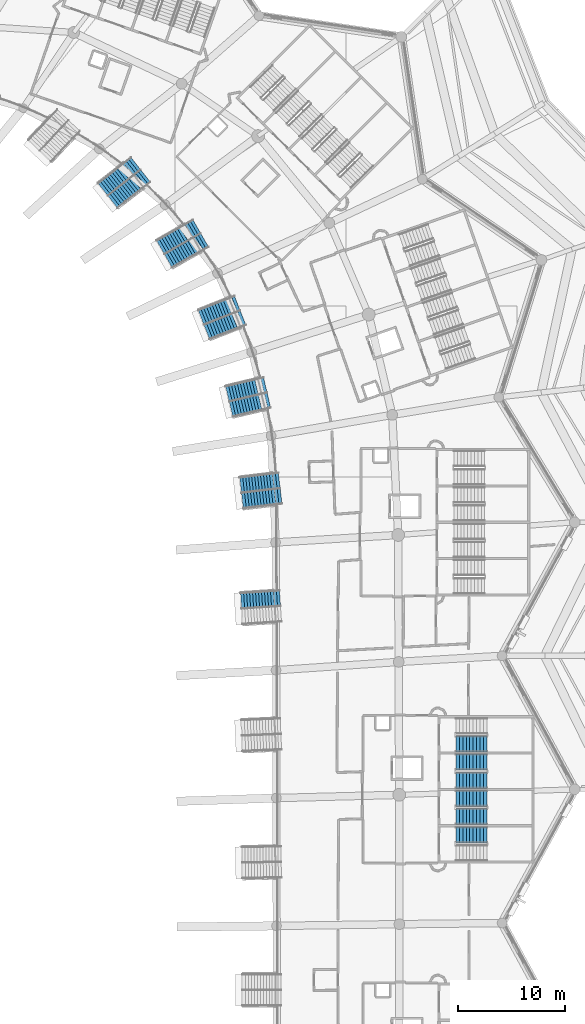
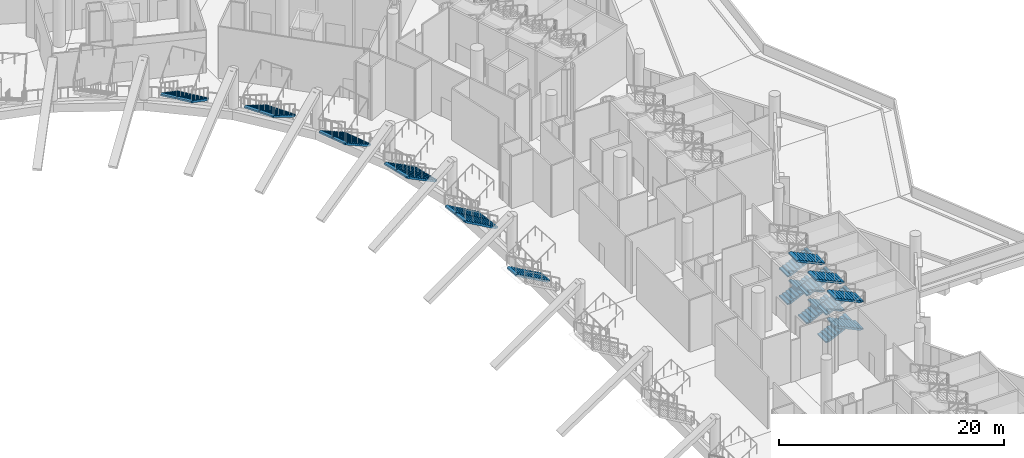
# One storey, part 98 of 173: 23 stair flights, 10 elements without a shape of their own.
"""IFC4 building model written with IfcOpenShell, lengths in metres."""

from ifc_helpers import new_model, si_unit, direction, frame, origin, place, context, subcontext, project, spatial, polyline, outline, extrude, material, type_object, element, aggregate, save


model = new_model("IFC4")

# Units and contexts
model_context = context("Model", 3, precision=1e-05, world=origin(), true_north=direction((0.0, 1.0)))
body_context = subcontext(model_context, "Body", "Model", "MODEL_VIEW")
ifc_project = project(units=[si_unit("LENGTHUNIT", "METRE"), si_unit("AREAUNIT", "SQUARE_METRE"), si_unit("VOLUMEUNIT", "CUBIC_METRE"), si_unit("PLANEANGLEUNIT", "RADIAN"), si_unit("MASSUNIT", "GRAM", prefix="KILO")], contexts=[model_context])

# Site, building, storey
site_placement = place(None, origin())
site = spatial("IfcSite", under=ifc_project, at=site_placement, CompositionType="ELEMENT")
building_placement = place(site_placement, origin())
building = spatial("IfcBuilding", under=site, at=building_placement, Name="Meseta Stadium", CompositionType="ELEMENT")
storey_placement = place(building_placement, frame((0.0, 0.0, 18.0)))
storey = spatial("IfcBuildingStorey", under=building, at=storey_placement, Name="L03", CompositionType="ELEMENT", Elevation=18.0)

# Stair, stair flights
ifc_material_1 = material(Name="Concrete C40/50", Category="concrete")
stair_type_1 = type_object("IfcStairType", Name="Exit stair 4 flights 150 mm risers", PredefinedType="HALF_TURN_STAIR", material=ifc_material_1)
stair_1_placement = place(storey_placement, origin())
stair_1 = element("IfcStair", 1, at=stair_1_placement, inside=storey, type_object=stair_type_1, Name="ST13 L03", PredefinedType="HALF_TURN_STAIR")
ifc_material_2 = material(Name="Concrete C40/50", Category="concrete")
stair_flight_type_1 = type_object("IfcStairFlightType", Name="Exit stair flight 150 mm risers, 4 per storey", PredefinedType="STRAIGHT", material=ifc_material_2)
stair_flight_1_placement = place(storey_placement, frame((93.179931640625, 14.5, 1.5), z_axis=(0.0, 0.0, 1.0), x_axis=(-1.0, 0.0, 0.0)))
stair_flight_1 = element("IfcStairFlight", 2, at=stair_flight_1_placement, type_object=stair_flight_type_1, Name="ST13 L03 flight 2", NumberOfRisers=10, NumberOfTreads=9, PredefinedType="STRAIGHT", RiserHeight=0.15, TreadLength=0.32, context=body_context, shape_type="SweptSolid", body=[
    extrude(outline(polyline([(0.0, 0.0), (0.0, 0.14990234375), (0.320068359375, 0.14990234375), (0.320068359375, 0.300048828125), (0.639892578125, 0.300048828125), (0.639892578125, 0.449951171875), (0.9599609375, 0.449951171875), (0.9599609375, 0.60009765625), (1.280029296875, 0.60009765625), (1.280029296875, 0.75), (1.60009765625, 0.75), (1.60009765625, 0.89990234375), (1.919921875, 0.89990234375), (1.919921875, 1.050048828125), (2.239990234375, 1.050048828125), (2.239990234375, 1.199951171875), (2.56005859375, 1.199951171875), (2.56005859375, 1.35009765625), (2.8798828125, 1.35009765625), (2.8798828125, 1.184326171875), (0.353271484375, 0.0), (0.0, 0.0)])), frame((0.0, 0.75, 0.0), z_axis=(0.0, -1.0, 0.0), x_axis=(1.0, 0.0, 0.0)), (0.0, 0.0, 1.0), 1.5),
])
stair_flight_2_placement = place(storey_placement, frame((93.179931640625, 14.5, 4.5), z_axis=(0.0, 0.0, 1.0), x_axis=(-1.0, 0.0, 0.0)))
stair_flight_2 = element("IfcStairFlight", 3, at=stair_flight_2_placement, type_object=stair_flight_type_1, Name="ST13 L03 flight 4", NumberOfRisers=10, NumberOfTreads=9, PredefinedType="STRAIGHT", RiserHeight=0.15, TreadLength=0.32, context=body_context, shape_type="SweptSolid", body=[
    extrude(outline(polyline([(0.0, 0.0), (0.0, 0.14990234375), (0.320068359375, 0.14990234375), (0.320068359375, 0.300048828125), (0.639892578125, 0.300048828125), (0.639892578125, 0.449951171875), (0.9599609375, 0.449951171875), (0.9599609375, 0.60009765625), (1.280029296875, 0.60009765625), (1.280029296875, 0.75), (1.60009765625, 0.75), (1.60009765625, 0.89990234375), (1.919921875, 0.89990234375), (1.919921875, 1.050048828125), (2.239990234375, 1.050048828125), (2.239990234375, 1.199951171875), (2.56005859375, 1.199951171875), (2.56005859375, 1.35009765625), (2.8798828125, 1.35009765625), (2.8798828125, 1.184326171875), (0.353271484375, 0.0), (0.0, 0.0)])), frame((0.0, 0.75, 0.0), z_axis=(0.0, -1.0, 0.0), x_axis=(1.0, 0.0, 0.0)), (0.0, 0.0, 1.0), 1.5),
])
aggregate(stair_1, [stair_flight_1, stair_flight_2])

stair_2_placement = place(storey_placement, origin())
stair_2 = element("IfcStair", 4, at=stair_2_placement, inside=storey, type_object=stair_type_1, Name="ST14 L03", PredefinedType="HALF_TURN_STAIR")
stair_flight_3_placement = place(storey_placement, frame((90.300048828125, 16.199951171875, 0.0), z_axis=(0.0, 0.0, 1.0), x_axis=(1.0, 0.0, 0.0)))
stair_flight_3 = element("IfcStairFlight", 5, at=stair_flight_3_placement, type_object=stair_flight_type_1, Name="ST14 L03 flight 1", NumberOfRisers=10, NumberOfTreads=9, PredefinedType="STRAIGHT", RiserHeight=0.15, TreadLength=0.32, context=body_context, shape_type="SweptSolid", body=[
    extrude(outline(polyline([(0.0, 0.0), (0.0, 0.14990234375), (0.320068359375, 0.14990234375), (0.320068359375, 0.300048828125), (0.639892578125, 0.300048828125), (0.639892578125, 0.449951171875), (0.9599609375, 0.449951171875), (0.9599609375, 0.60009765625), (1.280029296875, 0.60009765625), (1.280029296875, 0.75), (1.60009765625, 0.75), (1.60009765625, 0.89990234375), (1.919921875, 0.89990234375), (1.919921875, 1.050048828125), (2.239990234375, 1.050048828125), (2.239990234375, 1.199951171875), (2.56005859375, 1.199951171875), (2.56005859375, 1.35009765625), (2.8798828125, 1.35009765625), (2.8798828125, 1.184326171875), (0.353271484375, 0.0), (0.0, 0.0)])), frame((0.0, 0.75, 0.0), z_axis=(0.0, -1.0, 0.0), x_axis=(1.0, 0.0, 0.0)), (0.0, 0.0, 1.0), 1.5),
])
stair_flight_4_placement = place(storey_placement, frame((93.179931640625, 17.89990234375, 1.5), z_axis=(0.0, 0.0, 1.0), x_axis=(-1.0, 0.0, 0.0)))
stair_flight_4 = element("IfcStairFlight", 6, at=stair_flight_4_placement, type_object=stair_flight_type_1, Name="ST14 L03 flight 2", NumberOfRisers=10, NumberOfTreads=9, PredefinedType="STRAIGHT", RiserHeight=0.15, TreadLength=0.32, context=body_context, shape_type="SweptSolid", body=[
    extrude(outline(polyline([(0.0, 0.0), (0.0, 0.14990234375), (0.320068359375, 0.14990234375), (0.320068359375, 0.300048828125), (0.639892578125, 0.300048828125), (0.639892578125, 0.449951171875), (0.9599609375, 0.449951171875), (0.9599609375, 0.60009765625), (1.280029296875, 0.60009765625), (1.280029296875, 0.75), (1.60009765625, 0.75), (1.60009765625, 0.89990234375), (1.919921875, 0.89990234375), (1.919921875, 1.050048828125), (2.239990234375, 1.050048828125), (2.239990234375, 1.199951171875), (2.56005859375, 1.199951171875), (2.56005859375, 1.35009765625), (2.8798828125, 1.35009765625), (2.8798828125, 1.184326171875), (0.353271484375, 0.0), (0.0, 0.0)])), frame((0.0, 0.75, 0.0), z_axis=(0.0, -1.0, 0.0), x_axis=(1.0, 0.0, 0.0)), (0.0, 0.0, 1.0), 1.5),
])
stair_flight_5_placement = place(storey_placement, frame((90.300048828125, 16.199951171875, 3.0), z_axis=(0.0, 0.0, 1.0), x_axis=(1.0, 0.0, 0.0)))
stair_flight_5 = element("IfcStairFlight", 7, at=stair_flight_5_placement, type_object=stair_flight_type_1, Name="ST14 L03 flight 3", NumberOfRisers=10, NumberOfTreads=9, PredefinedType="STRAIGHT", RiserHeight=0.15, TreadLength=0.32, context=body_context, shape_type="SweptSolid", body=[
    extrude(outline(polyline([(0.0, 0.0), (0.0, 0.14990234375), (0.320068359375, 0.14990234375), (0.320068359375, 0.300048828125), (0.639892578125, 0.300048828125), (0.639892578125, 0.449951171875), (0.9599609375, 0.449951171875), (0.9599609375, 0.60009765625), (1.280029296875, 0.60009765625), (1.280029296875, 0.75), (1.60009765625, 0.75), (1.60009765625, 0.89990234375), (1.919921875, 0.89990234375), (1.919921875, 1.050048828125), (2.239990234375, 1.050048828125), (2.239990234375, 1.199951171875), (2.56005859375, 1.199951171875), (2.56005859375, 1.35009765625), (2.8798828125, 1.35009765625), (2.8798828125, 1.184326171875), (0.353271484375, 0.0), (0.0, 0.0)])), frame((0.0, 0.75, 0.0), z_axis=(0.0, -1.0, 0.0), x_axis=(1.0, 0.0, 0.0)), (0.0, 0.0, 1.0), 1.5),
])
stair_flight_6_placement = place(storey_placement, frame((93.179931640625, 17.89990234375, 4.5), z_axis=(0.0, 0.0, 1.0), x_axis=(-1.0, 0.0, 0.0)))
stair_flight_6 = element("IfcStairFlight", 8, at=stair_flight_6_placement, type_object=stair_flight_type_1, Name="ST14 L03 flight 4", NumberOfRisers=10, NumberOfTreads=9, PredefinedType="STRAIGHT", RiserHeight=0.15, TreadLength=0.32, context=body_context, shape_type="SweptSolid", body=[
    extrude(outline(polyline([(0.0, 0.0), (0.0, 0.14990234375), (0.320068359375, 0.14990234375), (0.320068359375, 0.300048828125), (0.639892578125, 0.300048828125), (0.639892578125, 0.449951171875), (0.9599609375, 0.449951171875), (0.9599609375, 0.60009765625), (1.280029296875, 0.60009765625), (1.280029296875, 0.75), (1.60009765625, 0.75), (1.60009765625, 0.89990234375), (1.919921875, 0.89990234375), (1.919921875, 1.050048828125), (2.239990234375, 1.050048828125), (2.239990234375, 1.199951171875), (2.56005859375, 1.199951171875), (2.56005859375, 1.35009765625), (2.8798828125, 1.35009765625), (2.8798828125, 1.184326171875), (0.353271484375, 0.0), (0.0, 0.0)])), frame((0.0, 0.75, 0.0), z_axis=(0.0, -1.0, 0.0), x_axis=(1.0, 0.0, 0.0)), (0.0, 0.0, 1.0), 1.5),
])
aggregate(stair_2, [stair_flight_3, stair_flight_4, stair_flight_5, stair_flight_6])

stair_3_placement = place(storey_placement, origin())
stair_3 = element("IfcStair", 9, at=stair_3_placement, inside=storey, type_object=stair_type_1, Name="ST15 L03", PredefinedType="HALF_TURN_STAIR")
stair_flight_7_placement = place(storey_placement, frame((90.300048828125, 19.60009765625, 0.0), z_axis=(0.0, 0.0, 1.0), x_axis=(1.0, 0.0, 0.0)))
stair_flight_7 = element("IfcStairFlight", 10, at=stair_flight_7_placement, type_object=stair_flight_type_1, Name="ST15 L03 flight 1", NumberOfRisers=10, NumberOfTreads=9, PredefinedType="STRAIGHT", RiserHeight=0.15, TreadLength=0.32, context=body_context, shape_type="SweptSolid", body=[
    extrude(outline(polyline([(0.0, 0.0), (0.0, 0.14990234375), (0.320068359375, 0.14990234375), (0.320068359375, 0.300048828125), (0.639892578125, 0.300048828125), (0.639892578125, 0.449951171875), (0.9599609375, 0.449951171875), (0.9599609375, 0.60009765625), (1.280029296875, 0.60009765625), (1.280029296875, 0.75), (1.60009765625, 0.75), (1.60009765625, 0.89990234375), (1.919921875, 0.89990234375), (1.919921875, 1.050048828125), (2.239990234375, 1.050048828125), (2.239990234375, 1.199951171875), (2.56005859375, 1.199951171875), (2.56005859375, 1.35009765625), (2.8798828125, 1.35009765625), (2.8798828125, 1.184326171875), (0.353271484375, 0.0), (0.0, 0.0)])), frame((0.0, 0.75, 0.0), z_axis=(0.0, -1.0, 0.0), x_axis=(1.0, 0.0, 0.0)), (0.0, 0.0, 1.0), 1.5),
])
stair_flight_8_placement = place(storey_placement, frame((93.179931640625, 21.300048828125, 1.5), z_axis=(0.0, 0.0, 1.0), x_axis=(-1.0, 0.0, 0.0)))
stair_flight_8 = element("IfcStairFlight", 11, at=stair_flight_8_placement, type_object=stair_flight_type_1, Name="ST15 L03 flight 2", NumberOfRisers=10, NumberOfTreads=9, PredefinedType="STRAIGHT", RiserHeight=0.15, TreadLength=0.32, context=body_context, shape_type="SweptSolid", body=[
    extrude(outline(polyline([(0.0, 0.0), (0.0, 0.14990234375), (0.320068359375, 0.14990234375), (0.320068359375, 0.300048828125), (0.639892578125, 0.300048828125), (0.639892578125, 0.449951171875), (0.9599609375, 0.449951171875), (0.9599609375, 0.60009765625), (1.280029296875, 0.60009765625), (1.280029296875, 0.75), (1.60009765625, 0.75), (1.60009765625, 0.89990234375), (1.919921875, 0.89990234375), (1.919921875, 1.050048828125), (2.239990234375, 1.050048828125), (2.239990234375, 1.199951171875), (2.56005859375, 1.199951171875), (2.56005859375, 1.35009765625), (2.8798828125, 1.35009765625), (2.8798828125, 1.184326171875), (0.353271484375, 0.0), (0.0, 0.0)])), frame((0.0, 0.75, 0.0), z_axis=(0.0, -1.0, 0.0), x_axis=(1.0, 0.0, 0.0)), (0.0, 0.0, 1.0), 1.5),
])
stair_flight_9_placement = place(storey_placement, frame((90.300048828125, 19.60009765625, 3.0), z_axis=(0.0, 0.0, 1.0), x_axis=(1.0, 0.0, 0.0)))
stair_flight_9 = element("IfcStairFlight", 12, at=stair_flight_9_placement, type_object=stair_flight_type_1, Name="ST15 L03 flight 3", NumberOfRisers=10, NumberOfTreads=9, PredefinedType="STRAIGHT", RiserHeight=0.15, TreadLength=0.32, context=body_context, shape_type="SweptSolid", body=[
    extrude(outline(polyline([(0.0, 0.0), (0.0, 0.14990234375), (0.320068359375, 0.14990234375), (0.320068359375, 0.300048828125), (0.639892578125, 0.300048828125), (0.639892578125, 0.449951171875), (0.9599609375, 0.449951171875), (0.9599609375, 0.60009765625), (1.280029296875, 0.60009765625), (1.280029296875, 0.75), (1.60009765625, 0.75), (1.60009765625, 0.89990234375), (1.919921875, 0.89990234375), (1.919921875, 1.050048828125), (2.239990234375, 1.050048828125), (2.239990234375, 1.199951171875), (2.56005859375, 1.199951171875), (2.56005859375, 1.35009765625), (2.8798828125, 1.35009765625), (2.8798828125, 1.184326171875), (0.353271484375, 0.0), (0.0, 0.0)])), frame((0.0, 0.75, 0.0), z_axis=(0.0, -1.0, 0.0), x_axis=(1.0, 0.0, 0.0)), (0.0, 0.0, 1.0), 1.5),
])
stair_flight_10_placement = place(storey_placement, frame((93.179931640625, 21.300048828125, 4.5), z_axis=(0.0, 0.0, 1.0), x_axis=(-1.0, 0.0, 0.0)))
stair_flight_10 = element("IfcStairFlight", 13, at=stair_flight_10_placement, type_object=stair_flight_type_1, Name="ST15 L03 flight 4", NumberOfRisers=10, NumberOfTreads=9, PredefinedType="STRAIGHT", RiserHeight=0.15, TreadLength=0.32, context=body_context, shape_type="SweptSolid", body=[
    extrude(outline(polyline([(0.0, 0.0), (0.0, 0.14990234375), (0.320068359375, 0.14990234375), (0.320068359375, 0.300048828125), (0.639892578125, 0.300048828125), (0.639892578125, 0.449951171875), (0.9599609375, 0.449951171875), (0.9599609375, 0.60009765625), (1.280029296875, 0.60009765625), (1.280029296875, 0.75), (1.60009765625, 0.75), (1.60009765625, 0.89990234375), (1.919921875, 0.89990234375), (1.919921875, 1.050048828125), (2.239990234375, 1.050048828125), (2.239990234375, 1.199951171875), (2.56005859375, 1.199951171875), (2.56005859375, 1.35009765625), (2.8798828125, 1.35009765625), (2.8798828125, 1.184326171875), (0.353271484375, 0.0), (0.0, 0.0)])), frame((0.0, 0.75, 0.0), z_axis=(0.0, -1.0, 0.0), x_axis=(1.0, 0.0, 0.0)), (0.0, 0.0, 1.0), 1.5),
])
aggregate(stair_3, [stair_flight_7, stair_flight_8, stair_flight_9, stair_flight_10])

stair_4_placement = place(storey_placement, origin())
stair_4 = element("IfcStair", 14, at=stair_4_placement, inside=storey, type_object=stair_type_1, Name="ST16 L03", PredefinedType="HALF_TURN_STAIR")
stair_flight_11_placement = place(storey_placement, frame((90.300048828125, 23.0, 0.0), z_axis=(0.0, 0.0, 1.0), x_axis=(1.0, 0.0, 0.0)))
stair_flight_11 = element("IfcStairFlight", 15, at=stair_flight_11_placement, type_object=stair_flight_type_1, Name="ST16 L03 flight 1", NumberOfRisers=10, NumberOfTreads=9, PredefinedType="STRAIGHT", RiserHeight=0.15, TreadLength=0.32, context=body_context, shape_type="SweptSolid", body=[
    extrude(outline(polyline([(0.0, 0.0), (0.0, 0.14990234375), (0.320068359375, 0.14990234375), (0.320068359375, 0.300048828125), (0.639892578125, 0.300048828125), (0.639892578125, 0.449951171875), (0.9599609375, 0.449951171875), (0.9599609375, 0.60009765625), (1.280029296875, 0.60009765625), (1.280029296875, 0.75), (1.60009765625, 0.75), (1.60009765625, 0.89990234375), (1.919921875, 0.89990234375), (1.919921875, 1.050048828125), (2.239990234375, 1.050048828125), (2.239990234375, 1.199951171875), (2.56005859375, 1.199951171875), (2.56005859375, 1.35009765625), (2.8798828125, 1.35009765625), (2.8798828125, 1.184326171875), (0.353271484375, 0.0), (0.0, 0.0)])), frame((0.0, 0.75, 0.0), z_axis=(0.0, -1.0, 0.0), x_axis=(1.0, 0.0, 0.0)), (0.0, 0.0, 1.0), 1.5),
])
stair_flight_12_placement = place(storey_placement, frame((90.300048828125, 23.0, 3.0), z_axis=(0.0, 0.0, 1.0), x_axis=(1.0, 0.0, 0.0)))
stair_flight_12 = element("IfcStairFlight", 16, at=stair_flight_12_placement, type_object=stair_flight_type_1, Name="ST16 L03 flight 3", NumberOfRisers=10, NumberOfTreads=9, PredefinedType="STRAIGHT", RiserHeight=0.15, TreadLength=0.32, context=body_context, shape_type="SweptSolid", body=[
    extrude(outline(polyline([(0.0, 0.0), (0.0, 0.14990234375), (0.320068359375, 0.14990234375), (0.320068359375, 0.300048828125), (0.639892578125, 0.300048828125), (0.639892578125, 0.449951171875), (0.9599609375, 0.449951171875), (0.9599609375, 0.60009765625), (1.280029296875, 0.60009765625), (1.280029296875, 0.75), (1.60009765625, 0.75), (1.60009765625, 0.89990234375), (1.919921875, 0.89990234375), (1.919921875, 1.050048828125), (2.239990234375, 1.050048828125), (2.239990234375, 1.199951171875), (2.56005859375, 1.199951171875), (2.56005859375, 1.35009765625), (2.8798828125, 1.35009765625), (2.8798828125, 1.184326171875), (0.353271484375, 0.0), (0.0, 0.0)])), frame((0.0, 0.75, 0.0), z_axis=(0.0, -1.0, 0.0), x_axis=(1.0, 0.0, 0.0)), (0.0, 0.0, 1.0), 1.5),
])
aggregate(stair_4, [stair_flight_11, stair_flight_12])

# Stair, stair flight
ifc_material_3 = material(Name="Concrete C40/50", Category="concrete")
stair_type_2 = type_object("IfcStairType", Name="Vomitory stair 3000", PredefinedType="STRAIGHT_RUN_STAIR", material=ifc_material_3)
stair_5_placement = place(storey_placement, origin())
stair_5 = element("IfcStair", 17, at=stair_5_placement, inside=storey, type_object=stair_type_2, Name="Vomitory V-upper-08", PredefinedType="STRAIGHT_RUN_STAIR")
ifc_material_4 = material(Name="Concrete C40/50", Category="concrete")
stair_flight_type_2 = type_object("IfcStairFlightType", Name="Vomitory stair flight 1450", PredefinedType="STRAIGHT", material=ifc_material_4)
stair_flight_13_placement = place(storey_placement, frame((73.81640625, 36.685302734375, 0.0), z_axis=(0.0, 0.0, 1.0), x_axis=(-0.997842912451, -0.065646950207, 0.0)))
stair_flight_13 = element("IfcStairFlight", 18, at=stair_flight_13_placement, type_object=stair_flight_type_2, Name="Vomitory V-upper-08 flight 2", NumberOfRisers=14, NumberOfTreads=13, PredefinedType="STRAIGHT", RiserHeight=0.165139, TreadLength=0.28, context=body_context, shape_type="SweptSolid", body=[
    extrude(outline(polyline([(0.0, 0.0), (0.0, 0.1650390625), (0.280029296875, 0.1650390625), (0.280029296875, 0.330322265625), (0.56005859375, 0.330322265625), (0.56005859375, 0.495361328125), (0.840087890625, 0.495361328125), (0.840087890625, 0.66064453125), (1.1201171875, 0.66064453125), (1.1201171875, 0.82568359375), (1.39990234375, 0.82568359375), (1.39990234375, 0.99072265625), (1.679931640625, 0.99072265625), (1.679931640625, 1.156005859375), (1.9599609375, 1.156005859375), (1.9599609375, 1.321044921875), (2.239990234375, 1.321044921875), (2.239990234375, 1.486328125), (2.52001953125, 1.486328125), (2.52001953125, 1.6513671875), (2.800048828125, 1.6513671875), (2.800048828125, 1.816650390625), (3.080078125, 1.816650390625), (3.080078125, 1.981689453125), (3.360107421875, 1.981689453125), (3.360107421875, 2.146728515625), (3.639892578125, 2.146728515625), (3.639892578125, 1.97265625), (0.295166015625, 0.0), (0.0, 0.0)])), frame((0.0, 0.72509765625, 0.0), z_axis=(0.0, -1.0, 0.0), x_axis=(1.0, 0.0, 0.0)), (0.0, 0.0, 1.0), 1.449951171875),
])
aggregate(stair_5, [stair_flight_13])

# Stair, stair flights
stair_6_placement = place(storey_placement, origin())
stair_6 = element("IfcStair", 19, at=stair_6_placement, inside=storey, type_object=stair_type_2, Name="Vomitory V-upper-09", PredefinedType="STRAIGHT_RUN_STAIR")
stair_flight_14_placement = place(storey_placement, frame((73.927978515625, 46.161376953125, 0.0), z_axis=(0.0, 0.0, 1.0), x_axis=(-0.993015017931, -0.117988025512, 0.0)))
stair_flight_14 = element("IfcStairFlight", 20, at=stair_flight_14_placement, type_object=stair_flight_type_2, Name="Vomitory V-upper-09 flight 1", NumberOfRisers=14, NumberOfTreads=13, PredefinedType="STRAIGHT", RiserHeight=0.173526, TreadLength=0.28, context=body_context, shape_type="SweptSolid", body=[
    extrude(outline(polyline([(0.0, 0.0), (0.0, 0.173583984375), (0.280029296875, 0.173583984375), (0.280029296875, 0.34716796875), (0.56005859375, 0.34716796875), (0.56005859375, 0.5205078125), (0.840087890625, 0.5205078125), (0.840087890625, 0.694091796875), (1.1201171875, 0.694091796875), (1.1201171875, 0.86767578125), (1.39990234375, 0.86767578125), (1.39990234375, 1.041259765625), (1.679931640625, 1.041259765625), (1.679931640625, 1.214599609375), (1.9599609375, 1.214599609375), (1.9599609375, 1.38818359375), (2.239990234375, 1.38818359375), (2.239990234375, 1.561767578125), (2.52001953125, 1.561767578125), (2.52001953125, 1.7353515625), (2.800048828125, 1.7353515625), (2.800048828125, 1.90869140625), (3.080078125, 1.90869140625), (3.080078125, 2.082275390625), (3.360107421875, 2.082275390625), (3.360107421875, 2.255859375), (3.639892578125, 2.255859375), (3.639892578125, 2.07958984375), (0.28466796875, 0.0), (0.0, 0.0)])), frame((0.0, 0.72509765625, 0.0), z_axis=(0.0, -1.0, 0.0), x_axis=(1.0, 0.0, 0.0)), (0.0, 0.0, 1.0), 1.449951171875),
])
stair_flight_15_placement = place(storey_placement, frame((73.7451171875, 47.700439453125, 0.0), z_axis=(0.0, 0.0, 1.0), x_axis=(-0.993015017931, -0.117988025512, 0.0)))
stair_flight_15 = element("IfcStairFlight", 21, at=stair_flight_15_placement, type_object=stair_flight_type_2, Name="Vomitory V-upper-09 flight 2", NumberOfRisers=14, NumberOfTreads=13, PredefinedType="STRAIGHT", RiserHeight=0.173526, TreadLength=0.28, context=body_context, shape_type="SweptSolid", body=[
    extrude(outline(polyline([(0.0, 0.0), (0.0, 0.173583984375), (0.280029296875, 0.173583984375), (0.280029296875, 0.34716796875), (0.56005859375, 0.34716796875), (0.56005859375, 0.5205078125), (0.840087890625, 0.5205078125), (0.840087890625, 0.694091796875), (1.1201171875, 0.694091796875), (1.1201171875, 0.86767578125), (1.39990234375, 0.86767578125), (1.39990234375, 1.041259765625), (1.679931640625, 1.041259765625), (1.679931640625, 1.214599609375), (1.9599609375, 1.214599609375), (1.9599609375, 1.38818359375), (2.239990234375, 1.38818359375), (2.239990234375, 1.561767578125), (2.52001953125, 1.561767578125), (2.52001953125, 1.7353515625), (2.800048828125, 1.7353515625), (2.800048828125, 1.90869140625), (3.080078125, 1.90869140625), (3.080078125, 2.082275390625), (3.360107421875, 2.082275390625), (3.360107421875, 2.255859375), (3.639892578125, 2.255859375), (3.639892578125, 2.07958984375), (0.28466796875, 0.0), (0.0, 0.0)])), frame((0.0, 0.72509765625, 0.0), z_axis=(0.0, -1.0, 0.0), x_axis=(1.0, 0.0, 0.0)), (0.0, 0.0, 1.0), 1.449951171875),
])
aggregate(stair_6, [stair_flight_14, stair_flight_15])

stair_7_placement = place(storey_placement, origin())
stair_7 = element("IfcStair", 22, at=stair_7_placement, inside=storey, type_object=stair_type_2, Name="Vomitory V-upper-10", PredefinedType="STRAIGHT_RUN_STAIR")
stair_flight_16_placement = place(storey_placement, frame((72.79248046875, 55.134033203125, 0.0), z_axis=(0.0, 0.0, 1.0), x_axis=(-0.973256309483, -0.229721910255, 0.0)))
stair_flight_16 = element("IfcStairFlight", 23, at=stair_flight_16_placement, type_object=stair_flight_type_2, Name="Vomitory V-upper-10 flight 1", NumberOfRisers=14, NumberOfTreads=13, PredefinedType="STRAIGHT", RiserHeight=0.167905, TreadLength=0.28, context=body_context, shape_type="SweptSolid", body=[
    extrude(outline(polyline([(0.0, 0.0), (0.0, 0.16796875), (0.280029296875, 0.16796875), (0.280029296875, 0.335693359375), (0.56005859375, 0.335693359375), (0.56005859375, 0.503662109375), (0.840087890625, 0.503662109375), (0.840087890625, 0.671630859375), (1.1201171875, 0.671630859375), (1.1201171875, 0.839599609375), (1.39990234375, 0.839599609375), (1.39990234375, 1.00732421875), (1.679931640625, 1.00732421875), (1.679931640625, 1.17529296875), (1.9599609375, 1.17529296875), (1.9599609375, 1.34326171875), (2.239990234375, 1.34326171875), (2.239990234375, 1.51123046875), (2.52001953125, 1.51123046875), (2.52001953125, 1.678955078125), (2.800048828125, 1.678955078125), (2.800048828125, 1.846923828125), (3.080078125, 1.846923828125), (3.080078125, 2.014892578125), (3.360107421875, 2.014892578125), (3.360107421875, 2.182861328125), (3.639892578125, 2.182861328125), (3.639892578125, 2.008056640625), (0.29150390625, 0.0), (0.0, 0.0)])), frame((0.0, 0.72509765625, 0.0), z_axis=(0.0, -1.0, 0.0), x_axis=(1.0, 0.0, 0.0)), (0.0, 0.0, 1.0), 1.449951171875),
])
stair_flight_17_placement = place(storey_placement, frame((72.436279296875, 56.642578125, 0.0), z_axis=(0.0, 0.0, 1.0), x_axis=(-0.973256309483, -0.229721910255, 0.0)))
stair_flight_17 = element("IfcStairFlight", 24, at=stair_flight_17_placement, type_object=stair_flight_type_2, Name="Vomitory V-upper-10 flight 2", NumberOfRisers=14, NumberOfTreads=13, PredefinedType="STRAIGHT", RiserHeight=0.167905, TreadLength=0.28, context=body_context, shape_type="SweptSolid", body=[
    extrude(outline(polyline([(0.0, 0.0), (0.0, 0.16796875), (0.280029296875, 0.16796875), (0.280029296875, 0.335693359375), (0.56005859375, 0.335693359375), (0.56005859375, 0.503662109375), (0.840087890625, 0.503662109375), (0.840087890625, 0.671630859375), (1.1201171875, 0.671630859375), (1.1201171875, 0.839599609375), (1.39990234375, 0.839599609375), (1.39990234375, 1.00732421875), (1.679931640625, 1.00732421875), (1.679931640625, 1.17529296875), (1.9599609375, 1.17529296875), (1.9599609375, 1.34326171875), (2.239990234375, 1.34326171875), (2.239990234375, 1.51123046875), (2.52001953125, 1.51123046875), (2.52001953125, 1.678955078125), (2.800048828125, 1.678955078125), (2.800048828125, 1.846923828125), (3.080078125, 1.846923828125), (3.080078125, 2.014892578125), (3.360107421875, 2.014892578125), (3.360107421875, 2.182861328125), (3.639892578125, 2.182861328125), (3.639892578125, 2.008056640625), (0.29150390625, 0.0), (0.0, 0.0)])), frame((0.0, 0.72509765625, 0.0), z_axis=(0.0, -1.0, 0.0), x_axis=(1.0, 0.0, 0.0)), (0.0, 0.0, 1.0), 1.449951171875),
])
aggregate(stair_7, [stair_flight_16, stair_flight_17])

stair_8_placement = place(storey_placement, origin())
stair_8 = element("IfcStair", 25, at=stair_8_placement, inside=storey, type_object=stair_type_2, Name="Vomitory V-upper-11", PredefinedType="STRAIGHT_RUN_STAIR")
stair_flight_18_placement = place(storey_placement, frame((70.37451171875, 62.850830078125, 0.0), z_axis=(0.0, 0.0, 1.0), x_axis=(-0.930263326339, -0.366892550576, 0.0)))
stair_flight_18 = element("IfcStairFlight", 26, at=stair_flight_18_placement, type_object=stair_flight_type_2, Name="Vomitory V-upper-11 flight 1", NumberOfRisers=14, NumberOfTreads=13, PredefinedType="STRAIGHT", RiserHeight=0.167897, TreadLength=0.28, context=body_context, shape_type="SweptSolid", body=[
    extrude(outline(polyline([(0.0, 0.0), (0.0, 0.16796875), (0.280029296875, 0.16796875), (0.280029296875, 0.335693359375), (0.56005859375, 0.335693359375), (0.56005859375, 0.503662109375), (0.840087890625, 0.503662109375), (0.840087890625, 0.671630859375), (1.1201171875, 0.671630859375), (1.1201171875, 0.839599609375), (1.39990234375, 0.839599609375), (1.39990234375, 1.00732421875), (1.679931640625, 1.00732421875), (1.679931640625, 1.17529296875), (1.9599609375, 1.17529296875), (1.9599609375, 1.34326171875), (2.239990234375, 1.34326171875), (2.239990234375, 1.510986328125), (2.52001953125, 1.510986328125), (2.52001953125, 1.678955078125), (2.800048828125, 1.678955078125), (2.800048828125, 1.846923828125), (3.080078125, 1.846923828125), (3.080078125, 2.0146484375), (3.360107421875, 2.0146484375), (3.360107421875, 2.1826171875), (3.639892578125, 2.1826171875), (3.639892578125, 2.0078125), (0.29150390625, 0.0), (0.0, 0.0)])), frame((0.0, 0.72509765625, 0.0), z_axis=(0.0, -1.0, 0.0), x_axis=(1.0, 0.0, 0.0)), (0.0, 0.0, 1.0), 1.449951171875),
])
stair_flight_19_placement = place(storey_placement, frame((69.8056640625, 64.292724609375, 0.0), z_axis=(0.0, 0.0, 1.0), x_axis=(-0.930263326339, -0.366892550576, 0.0)))
stair_flight_19 = element("IfcStairFlight", 27, at=stair_flight_19_placement, type_object=stair_flight_type_2, Name="Vomitory V-upper-11 flight 2", NumberOfRisers=14, NumberOfTreads=13, PredefinedType="STRAIGHT", RiserHeight=0.167897, TreadLength=0.28, context=body_context, shape_type="SweptSolid", body=[
    extrude(outline(polyline([(0.0, 0.0), (0.0, 0.16796875), (0.280029296875, 0.16796875), (0.280029296875, 0.335693359375), (0.56005859375, 0.335693359375), (0.56005859375, 0.503662109375), (0.840087890625, 0.503662109375), (0.840087890625, 0.671630859375), (1.1201171875, 0.671630859375), (1.1201171875, 0.839599609375), (1.39990234375, 0.839599609375), (1.39990234375, 1.00732421875), (1.679931640625, 1.00732421875), (1.679931640625, 1.17529296875), (1.9599609375, 1.17529296875), (1.9599609375, 1.34326171875), (2.239990234375, 1.34326171875), (2.239990234375, 1.510986328125), (2.52001953125, 1.510986328125), (2.52001953125, 1.678955078125), (2.800048828125, 1.678955078125), (2.800048828125, 1.846923828125), (3.080078125, 1.846923828125), (3.080078125, 2.0146484375), (3.360107421875, 2.0146484375), (3.360107421875, 2.1826171875), (3.639892578125, 2.1826171875), (3.639892578125, 2.0078125), (0.29150390625, 0.0), (0.0, 0.0)])), frame((0.0, 0.72509765625, 0.0), z_axis=(0.0, -1.0, 0.0), x_axis=(1.0, 0.0, 0.0)), (0.0, 0.0, 1.0), 1.449951171875),
])
aggregate(stair_8, [stair_flight_18, stair_flight_19])

stair_9_placement = place(storey_placement, origin())
stair_9 = element("IfcStair", 28, at=stair_9_placement, inside=storey, type_object=stair_type_2, Name="Vomitory V-upper-12", PredefinedType="STRAIGHT_RUN_STAIR")
stair_flight_20_placement = place(storey_placement, frame((66.788330078125, 70.11767578125, 0.0), z_axis=(0.0, 0.0, 1.0), x_axis=(-0.867711670531, -0.497067859376, 0.0)))
stair_flight_20 = element("IfcStairFlight", 29, at=stair_flight_20_placement, type_object=stair_flight_type_2, Name="Vomitory V-upper-12 flight 1", NumberOfRisers=15, NumberOfTreads=14, PredefinedType="STRAIGHT", RiserHeight=0.164991, TreadLength=0.28, context=body_context, shape_type="SweptSolid", body=[
    extrude(outline(polyline([(0.0, 0.0), (0.0, 0.1650390625), (0.280029296875, 0.1650390625), (0.280029296875, 0.330078125), (0.56005859375, 0.330078125), (0.56005859375, 0.494873046875), (0.840087890625, 0.494873046875), (0.840087890625, 0.659912109375), (1.1201171875, 0.659912109375), (1.1201171875, 0.824951171875), (1.39990234375, 0.824951171875), (1.39990234375, 0.989990234375), (1.679931640625, 0.989990234375), (1.679931640625, 1.155029296875), (1.9599609375, 1.155029296875), (1.9599609375, 1.31982421875), (2.239990234375, 1.31982421875), (2.239990234375, 1.48486328125), (2.52001953125, 1.48486328125), (2.52001953125, 1.64990234375), (2.800048828125, 1.64990234375), (2.800048828125, 1.81494140625), (3.080078125, 1.81494140625), (3.080078125, 1.97998046875), (3.360107421875, 1.97998046875), (3.360107421875, 2.144775390625), (3.639892578125, 2.144775390625), (3.639892578125, 2.309814453125), (3.919921875, 2.309814453125), (3.919921875, 2.135986328125), (0.295166015625, 0.0), (0.0, 0.0)])), frame((0.0, 0.72509765625, 0.0), z_axis=(0.0, -1.0, 0.0), x_axis=(1.0, 0.0, 0.0)), (0.0, 0.0, 1.0), 1.449951171875),
])
stair_flight_21_placement = place(storey_placement, frame((66.017822265625, 71.462646484375, 0.0), z_axis=(0.0, 0.0, 1.0), x_axis=(-0.867711670531, -0.497067859376, 0.0)))
stair_flight_21 = element("IfcStairFlight", 30, at=stair_flight_21_placement, type_object=stair_flight_type_2, Name="Vomitory V-upper-12 flight 2", NumberOfRisers=15, NumberOfTreads=14, PredefinedType="STRAIGHT", RiserHeight=0.164991, TreadLength=0.28, context=body_context, shape_type="SweptSolid", body=[
    extrude(outline(polyline([(0.0, 0.0), (0.0, 0.1650390625), (0.280029296875, 0.1650390625), (0.280029296875, 0.330078125), (0.56005859375, 0.330078125), (0.56005859375, 0.494873046875), (0.840087890625, 0.494873046875), (0.840087890625, 0.659912109375), (1.1201171875, 0.659912109375), (1.1201171875, 0.824951171875), (1.39990234375, 0.824951171875), (1.39990234375, 0.989990234375), (1.679931640625, 0.989990234375), (1.679931640625, 1.155029296875), (1.9599609375, 1.155029296875), (1.9599609375, 1.31982421875), (2.239990234375, 1.31982421875), (2.239990234375, 1.48486328125), (2.52001953125, 1.48486328125), (2.52001953125, 1.64990234375), (2.800048828125, 1.64990234375), (2.800048828125, 1.81494140625), (3.080078125, 1.81494140625), (3.080078125, 1.97998046875), (3.360107421875, 1.97998046875), (3.360107421875, 2.144775390625), (3.639892578125, 2.144775390625), (3.639892578125, 2.309814453125), (3.919921875, 2.309814453125), (3.919921875, 2.135986328125), (0.295166015625, 0.0), (0.0, 0.0)])), frame((0.0, 0.72509765625, 0.0), z_axis=(0.0, -1.0, 0.0), x_axis=(1.0, 0.0, 0.0)), (0.0, 0.0, 1.0), 1.449951171875),
])
aggregate(stair_9, [stair_flight_20, stair_flight_21])

stair_10_placement = place(storey_placement, origin())
stair_10 = element("IfcStair", 31, at=stair_10_placement, inside=storey, type_object=stair_type_2, Name="Vomitory V-upper-13", PredefinedType="STRAIGHT_RUN_STAIR")
stair_flight_22_placement = place(storey_placement, frame((61.261962890625, 76.1298828125, 0.0), z_axis=(0.0, 0.0, 1.0), x_axis=(-0.786141751877, -0.618046232862, 0.0)))
stair_flight_22 = element("IfcStairFlight", 32, at=stair_flight_22_placement, type_object=stair_flight_type_2, Name="Vomitory V-upper-13 flight 1", NumberOfRisers=15, NumberOfTreads=14, PredefinedType="STRAIGHT", RiserHeight=0.164945, TreadLength=0.28, context=body_context, shape_type="SweptSolid", body=[
    extrude(outline(polyline([(0.0, 0.0), (0.0, 0.1650390625), (0.280029296875, 0.1650390625), (0.280029296875, 0.329833984375), (0.56005859375, 0.329833984375), (0.56005859375, 0.494873046875), (0.840087890625, 0.494873046875), (0.840087890625, 0.65966796875), (1.1201171875, 0.65966796875), (1.1201171875, 0.82470703125), (1.39990234375, 0.82470703125), (1.39990234375, 0.98974609375), (1.679931640625, 0.98974609375), (1.679931640625, 1.154541015625), (1.9599609375, 1.154541015625), (1.9599609375, 1.319580078125), (2.239990234375, 1.319580078125), (2.239990234375, 1.484619140625), (2.52001953125, 1.484619140625), (2.52001953125, 1.6494140625), (2.800048828125, 1.6494140625), (2.800048828125, 1.814453125), (3.080078125, 1.814453125), (3.080078125, 1.979248046875), (3.360107421875, 1.979248046875), (3.360107421875, 2.144287109375), (3.639892578125, 2.144287109375), (3.639892578125, 2.309326171875), (3.919921875, 2.309326171875), (3.919921875, 2.13525390625), (0.29541015625, 0.0), (0.0, 0.0)])), frame((0.0, 0.72509765625, 0.0), z_axis=(0.0, -1.0, 0.0), x_axis=(1.0, 0.0, 0.0)), (0.0, 0.0, 1.0), 1.449951171875),
])
stair_flight_23_placement = place(storey_placement, frame((60.303955078125, 77.348388671875, 0.0), z_axis=(0.0, 0.0, 1.0), x_axis=(-0.786141751877, -0.618046232862, 0.0)))
stair_flight_23 = element("IfcStairFlight", 33, at=stair_flight_23_placement, type_object=stair_flight_type_2, Name="Vomitory V-upper-13 flight 2", NumberOfRisers=15, NumberOfTreads=14, PredefinedType="STRAIGHT", RiserHeight=0.164945, TreadLength=0.28, context=body_context, shape_type="SweptSolid", body=[
    extrude(outline(polyline([(0.0, 0.0), (0.0, 0.1650390625), (0.280029296875, 0.1650390625), (0.280029296875, 0.329833984375), (0.56005859375, 0.329833984375), (0.56005859375, 0.494873046875), (0.840087890625, 0.494873046875), (0.840087890625, 0.65966796875), (1.1201171875, 0.65966796875), (1.1201171875, 0.82470703125), (1.39990234375, 0.82470703125), (1.39990234375, 0.98974609375), (1.679931640625, 0.98974609375), (1.679931640625, 1.154541015625), (1.9599609375, 1.154541015625), (1.9599609375, 1.319580078125), (2.239990234375, 1.319580078125), (2.239990234375, 1.484619140625), (2.52001953125, 1.484619140625), (2.52001953125, 1.6494140625), (2.800048828125, 1.6494140625), (2.800048828125, 1.814453125), (3.080078125, 1.814453125), (3.080078125, 1.979248046875), (3.360107421875, 1.979248046875), (3.360107421875, 2.144287109375), (3.639892578125, 2.144287109375), (3.639892578125, 2.309326171875), (3.919921875, 2.309326171875), (3.919921875, 2.13525390625), (0.29541015625, 0.0), (0.0, 0.0)])), frame((0.0, 0.72509765625, 0.0), z_axis=(0.0, -1.0, 0.0), x_axis=(1.0, 0.0, 0.0)), (0.0, 0.0, 1.0), 1.449951171875),
])
aggregate(stair_10, [stair_flight_22, stair_flight_23])

save(model, "model.ifc")
